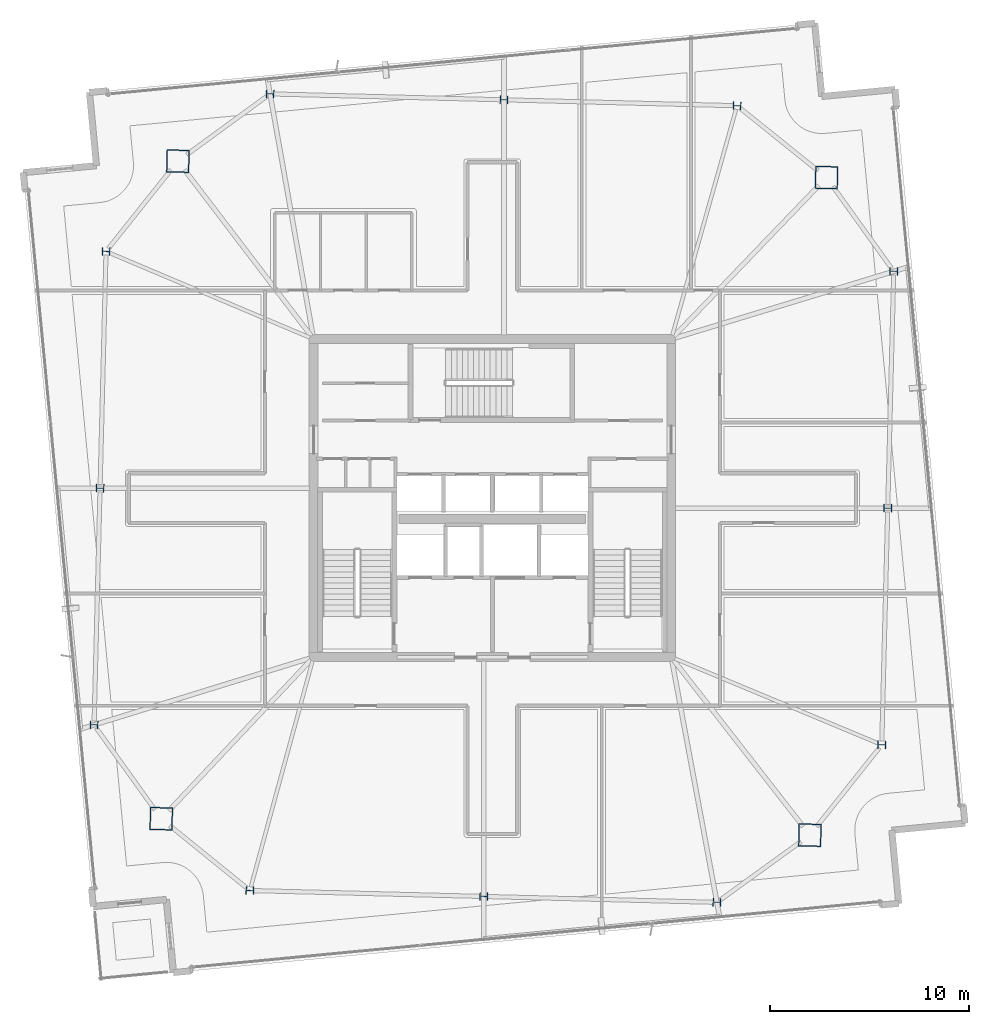
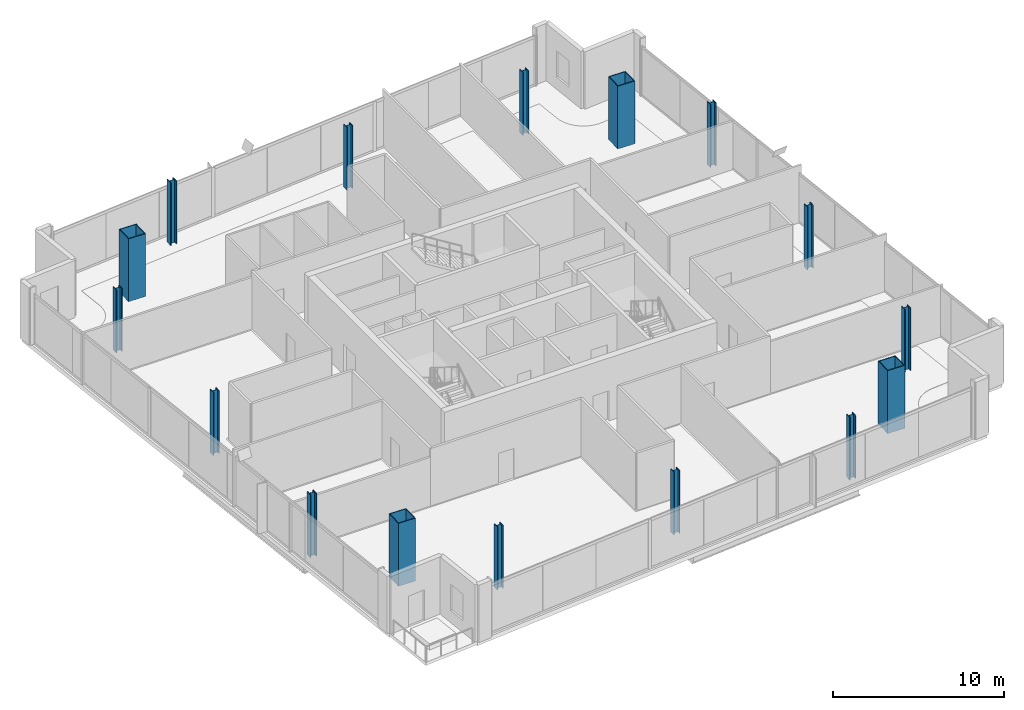
# One storey, part 1 of 24: 16 columns.
"""IFC4 building model written with IfcOpenShell, lengths in metres."""

from ifc_helpers import new_model, si_unit, direction, frame, origin, origin_2d, place, context, subcontext, project, spatial, hollow_rectangle, i_section, extrude, material, material_profile, profile_set, type_object, element, save


model = new_model("IFC4")

# Units and contexts
model_context = context("Model", 3, precision=1e-05, world=origin(), true_north=direction((0.0, 1.0)))
body_context = subcontext(model_context, "Body", "Model", "MODEL_VIEW")
ifc_project = project(units=[si_unit("LENGTHUNIT", "METRE"), si_unit("AREAUNIT", "SQUARE_METRE"), si_unit("VOLUMEUNIT", "CUBIC_METRE"), si_unit("PLANEANGLEUNIT", "RADIAN"), si_unit("MASSUNIT", "GRAM", prefix="KILO")], contexts=[model_context])

# Site, building, storey
site_placement = place(None, origin())
site = spatial("IfcSite", under=ifc_project, at=site_placement, CompositionType="ELEMENT")
building_placement = place(site_placement, origin())
building = spatial("IfcBuilding", under=site, at=building_placement, Name="Haldenkirk Collegiate Tower", CompositionType="ELEMENT")
storey_placement = place(building_placement, frame((0.0, 0.0, 347.699951171875)))
storey = spatial("IfcBuildingStorey", under=building, at=storey_placement, Name="L88", CompositionType="ELEMENT", Elevation=347.699951171875)

# Columns
ifc_material_1 = material(Name="Steel ASTM A913 Grade 65", Category="steel")
ifc_material_profile_1 = material_profile(ifc_material_1, i_section(OverallWidth=0.406005859375, OverallDepth=0.416015625, WebThickness=0.02978515625, FlangeThickness=0.048095703125, at=origin_2d()), Name="W14X257")
ifc_profile_set_1 = profile_set([ifc_material_profile_1], Name="Steel ASTM A913 Grade 65")
column_type_1 = type_object("IfcColumnType", Name="COL-INT-W14X257", PredefinedType="COLUMN", material=ifc_profile_set_1)
for number, where, z_axis, x_axis, name in (
    (1, (55.592041015625, 13.584228515625, 0.0), (0.0, 0.0, 1.0), (0.025304572866, 0.999679788028, 0.0), "L88 perimeter gravity column PC-S1"),
    (2, (55.8935546875, 25.496337890625, 0.0), (0.0, 0.0, 1.0), (0.025304572866, 0.999679788028, 0.0), "L88 perimeter gravity column PC-S2"),
    (3, (56.1953125, 37.40869140625, 0.0), (0.0, 0.0, 1.0), (0.025304572866, 0.999679788028, 0.0), "L88 perimeter gravity column PC-S3"),
    (4, (48.3115234375, 45.744873046875, 0.0), (0.0, 0.0, 1.0), (0.025304572866, 0.999679788028, 0.0), "L88 perimeter gravity column PC-E1"),
    (5, (36.582275390625, 46.041748046875, 0.0), (0.0, 0.0, 1.0), (0.025304572866, 0.999679788028, 0.0), "L88 perimeter gravity column PC-E2"),
    (6, (24.81103515625, 46.339599609375, 0.0), (0.0, 0.0, 1.0), (0.025304572866, 0.999679788028, 0.0), "L88 perimeter gravity column PC-E3"),
    (7, (16.557861328125, 38.411865234375, 0.0), (0.0, 0.0, 1.0), (0.025304572866, 0.999679788028, 0.0), "L88 perimeter gravity column PC-N1"),
    (8, (16.25634765625, 26.499755859375, 0.0), (0.0, 0.0, 1.0), (0.025304572866, 0.999679788028, 0.0), "L88 perimeter gravity column PC-N2"),
    (9, (15.954833984375, 14.587646484375, 0.0), (0.0, 0.0, 1.0), (0.025304572866, 0.999679788028, 0.0), "L88 perimeter gravity column PC-N3"),
    (10, (23.79638671875, 6.25244140625, 0.0), (0.0, 0.0, 1.0), (0.025304572866, 0.999679788028, 0.0), "L88 perimeter gravity column PC-W1"),
    (11, (35.567626953125, 5.95458984375, 0.0), (0.0, 0.0, 1.0), (0.025304572866, 0.999679788028, 0.0), "L88 perimeter gravity column PC-W2"),
    (12, (47.296875, 5.65771484375, 0.0), (0.0, 0.0, 1.0), (0.025304572866, 0.999679788028, 0.0), "L88 perimeter gravity column PC-W3"),
):
    element("IfcColumn", number, at=place(storey_placement, frame(where, z_axis=z_axis, x_axis=x_axis)), inside=storey, type_object=column_type_1, Name=name, PredefinedType="COLUMN", context=body_context, shape_type="SweptSolid", body=[
        extrude(i_section(OverallWidth=0.406005859375, OverallDepth=0.416015625, WebThickness=0.02978515625, FlangeThickness=0.048095703125, at=origin_2d()), origin(), (0.0, 0.0, 1.0), 4.5),
    ])
ifc_material_2 = material(Name="Steel ASTM A572 Grade 50", Category="steel")
ifc_material_profile_2 = material_profile(ifc_material_2, hollow_rectangle(XDim=1.14990234375, YDim=1.14990234375, WallThickness=0.050048828125, at=origin_2d()), Name="BOX1150X1150X50")
ifc_profile_set_2 = profile_set([ifc_material_profile_2], Name="Steel ASTM A572 Grade 50")
column_type_2 = type_object("IfcColumnType", Name="COL-MEGA-BOX1150X1150X50", PredefinedType="COLUMN", material=ifc_profile_set_2)
for number, where, z_axis, x_axis, name in (
    (13, (51.97607421875, 9.040283203125, 0.0), (0.0, 0.0, 1.0), (0.025304572866, 0.999679788028, 0.0), "L88 corner mega-column MC1"),
    (14, (52.8134765625, 42.129638671875, 0.0), (0.0, 0.0, 1.0), (0.025304572866, 0.999679788028, 0.0), "L88 corner mega-column MC2"),
    (15, (20.174072265625, 42.955810546875, 0.0), (0.0, 0.0, 1.0), (0.025304572866, 0.999679788028, 0.0), "L88 corner mega-column MC3"),
    (16, (19.33642578125, 9.866455078125, 0.0), (0.0, 0.0, 1.0), (0.025304572866, 0.999679788028, 0.0), "L88 corner mega-column MC4"),
):
    element("IfcColumn", number, at=place(storey_placement, frame(where, z_axis=z_axis, x_axis=x_axis)), inside=storey, type_object=column_type_2, Name=name, PredefinedType="COLUMN", context=body_context, shape_type="SweptSolid", body=[
        extrude(hollow_rectangle(XDim=1.14990234375, YDim=1.14990234375, WallThickness=0.050048828125, at=origin_2d()), origin(), (0.0, 0.0, 1.0), 4.5),
    ])

save(model, "model.ifc")
